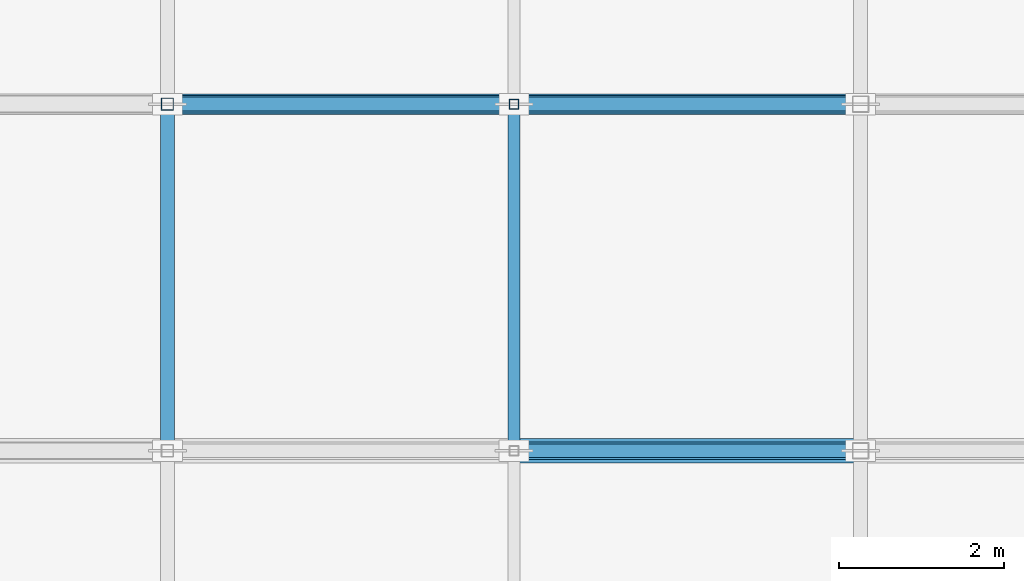
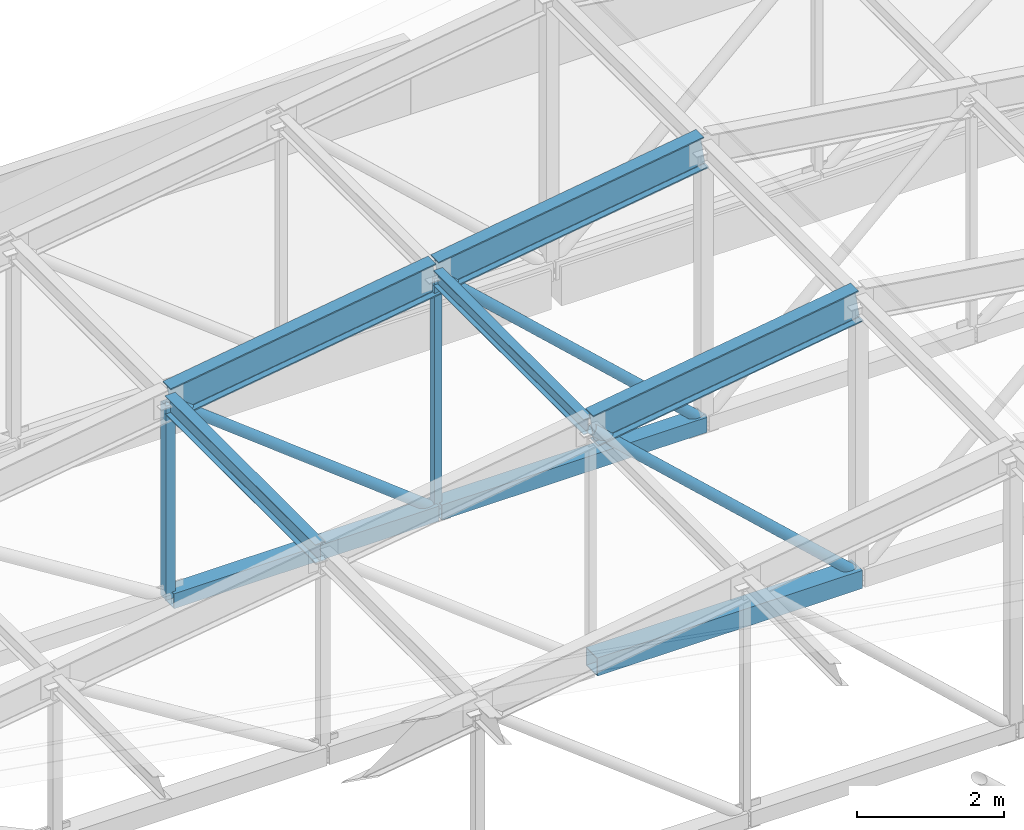
# One storey, part 36 of 122: 13 members.
"""IFC4 building model written with IfcOpenShell, lengths in metres."""

from ifc_helpers import new_model, si_unit, direction, frame, origin, origin_2d, place, context, subcontext, project, spatial, hollow_rectangle, hollow_circle, i_section, extrude, material, material_profile, profile_set, type_object, element, save


model = new_model("IFC4")

# Units and contexts
model_context = context("Model", 3, precision=1e-05, world=origin(), true_north=direction((0.0, 1.0)))
body_context = subcontext(model_context, "Body", "Model", "MODEL_VIEW")
ifc_project = project(units=[si_unit("LENGTHUNIT", "METRE"), si_unit("AREAUNIT", "SQUARE_METRE"), si_unit("VOLUMEUNIT", "CUBIC_METRE"), si_unit("PLANEANGLEUNIT", "RADIAN"), si_unit("MASSUNIT", "GRAM", prefix="KILO")], contexts=[model_context])

# Site, building, storey
site_placement = place(None, origin())
site = spatial("IfcSite", under=ifc_project, at=site_placement, CompositionType="ELEMENT")
building_placement = place(site_placement, origin())
building = spatial("IfcBuilding", under=site, at=building_placement, Name="Telukmera Botanical Conservatory", CompositionType="ELEMENT")
storey_placement = place(building_placement, frame((0.0, 0.0, 10.199951171875)))
storey = spatial("IfcBuildingStorey", under=building, at=storey_placement, Name="L02", CompositionType="ELEMENT", Elevation=10.199951171875)

# Members
ifc_material = material(Name="Steel S355", Category="steel")
ifc_material_profile_1 = material_profile(ifc_material, i_section(OverallWidth=0.210693359375, OverallDepth=0.53955078125, WebThickness=0.01171875, FlangeThickness=0.018798828125, FilletRadius=0.0126953125, at=origin_2d()), Name="UB 533x210x109")
ifc_profile_set_1 = profile_set([ifc_material_profile_1], Name="Steel S355")
member_type_1 = type_object("IfcMemberType", Name="Mem_TC1", PredefinedType="CHORD", material=ifc_profile_set_1)
for number, where, z_axis, x_axis, name in (
    (1, (21.019775390625, 108.39990234375, 3.80615234375), (0.989022603236, 0.0, 0.147764306545), (0.0, 1.0, 0.0), "Auditorium Pratt Truss Top Chord T7-4"),
    (2, (16.81982421875, 112.60009765625, 3.178466796875), (0.989022603236, 0.0, 0.147764306545), (0.0, 1.0, 0.0), "Auditorium Pratt Truss Top Chord T8-3"),
    (3, (21.019775390625, 112.60009765625, 3.80615234375), (0.989022603236, 0.0, 0.147764306545), (0.0, 1.0, 0.0), "Auditorium Pratt Truss Top Chord T8-4"),
):
    element("IfcMember", number, at=place(storey_placement, frame(where, z_axis=z_axis, x_axis=x_axis)), inside=storey, type_object=member_type_1, Name=name, PredefinedType="CHORD", context=body_context, shape_type="SweptSolid", body=[
        extrude(i_section(OverallWidth=0.210693359375, OverallDepth=0.53955078125, WebThickness=0.01171875, FlangeThickness=0.018798828125, FilletRadius=0.0126953125, at=origin_2d()), origin(), (0.0, 0.0, 1.0), 4.20654296875),
    ])
ifc_material_profile_2 = material_profile(ifc_material, hollow_rectangle(XDim=0.25, YDim=0.25, WallThickness=0.012451171875, at=origin_2d()), Name="SHS 250x250x12.5")
ifc_profile_set_2 = profile_set([ifc_material_profile_2], Name="Steel S355")
member_type_2 = type_object("IfcMemberType", Name="Mem_TC2", PredefinedType="CHORD", material=ifc_profile_set_2)
for number, where, z_axis, x_axis, name in (
    (4, (16.820068359375, 112.60009765625, -0.079833984375), (1.0, 0.0, 0.0), (0.0, 1.0, 0.0), "Auditorium Pratt Truss Bottom Chord T8-3"),
    (5, (21.02001953125, 112.60009765625, -0.079833984375), (1.0, 0.0, 0.0), (0.0, 1.0, 0.0), "Auditorium Pratt Truss Bottom Chord T8-4"),
):
    element("IfcMember", number, at=place(storey_placement, frame(where, z_axis=z_axis, x_axis=x_axis)), inside=storey, type_object=member_type_2, Name=name, PredefinedType="CHORD", context=body_context, shape_type="SweptSolid", body=[
        extrude(hollow_rectangle(XDim=0.25, YDim=0.25, WallThickness=0.012451171875, at=origin_2d()), origin(), (0.0, 0.0, 1.0), 4.159912109375),
    ])
ifc_material_profile_3 = material_profile(ifc_material, hollow_rectangle(XDim=0.300048828125, YDim=0.300048828125, WallThickness=0.012451171875, at=origin_2d()), Name="SHS 300x300x12.5")
ifc_profile_set_3 = profile_set([ifc_material_profile_3], Name="Steel S355")
member_type_3 = type_object("IfcMemberType", Name="Mem_TC3", PredefinedType="CHORD", material=ifc_profile_set_3)
member_1_placement = place(storey_placement, frame((21.02001953125, 108.39990234375, -0.079833984375), z_axis=(1.0, 0.0, 0.0), x_axis=(0.0, 1.0, 0.0)))
element("IfcMember", 6, at=member_1_placement, inside=storey, type_object=member_type_3, Name="Auditorium Pratt Truss Bottom Chord T7-4", PredefinedType="CHORD", context=body_context, shape_type="SweptSolid", body=[
    extrude(hollow_rectangle(XDim=0.300048828125, YDim=0.300048828125, WallThickness=0.012451171875, at=origin_2d()), origin(), (0.0, 0.0, 1.0), 4.159912109375),
])
ifc_material_profile_4 = material_profile(ifc_material, hollow_circle(Radius=0.084228515625, WallThickness=0.008056640625, at=origin_2d()), Name="CHS 168.3x8.0")
ifc_profile_set_4 = profile_set([ifc_material_profile_4], Name="Steel S355")
member_type_4 = type_object("IfcMemberType", Name="Mem_TD2", PredefinedType="BRACE", material=ifc_profile_set_4)
member_2_placement = place(storey_placement, frame((21.02197265625, 108.39990234375, 3.78271484375), z_axis=(0.734277342079, 0.0, -0.678849604044), x_axis=(0.0, 1.0, 0.0)))
element("IfcMember", 7, at=member_2_placement, inside=storey, type_object=member_type_4, Name="Auditorium Pratt Truss Web Diagonal T7-D4", PredefinedType="BRACE", context=body_context, shape_type="SweptSolid", body=[
    extrude(hollow_circle(Radius=0.084228515625, WallThickness=0.008056640625, at=origin_2d()), origin(), (0.0, 0.0, 1.0), 5.659912109375),
])
member_3_placement = place(storey_placement, frame((16.82373046875, 112.60009765625, 3.156982421875), z_axis=(0.790391989469, 0.0, -0.61260142261), x_axis=(0.0, 1.0, 0.0)))
element("IfcMember", 8, at=member_3_placement, inside=storey, type_object=member_type_4, Name="Auditorium Pratt Truss Web Diagonal T8-D3", PredefinedType="BRACE", context=body_context, shape_type="SweptSolid", body=[
    extrude(hollow_circle(Radius=0.084228515625, WallThickness=0.008056640625, at=origin_2d()), origin(), (0.0, 0.0, 1.0), 5.25390625),
])
member_4_placement = place(storey_placement, frame((21.02197265625, 112.60009765625, 3.78271484375), z_axis=(0.734277342079, 0.0, -0.678849604044), x_axis=(0.0, 1.0, 0.0)))
element("IfcMember", 9, at=member_4_placement, inside=storey, type_object=member_type_4, Name="Auditorium Pratt Truss Web Diagonal T8-D4", PredefinedType="BRACE", context=body_context, shape_type="SweptSolid", body=[
    extrude(hollow_circle(Radius=0.084228515625, WallThickness=0.008056640625, at=origin_2d()), origin(), (0.0, 0.0, 1.0), 5.659912109375),
])
ifc_material_profile_5 = material_profile(ifc_material, i_section(OverallWidth=0.165771484375, OverallDepth=0.306640625, WebThickness=0.006591796875, FlangeThickness=0.01171875, FilletRadius=0.0087890625, at=origin_2d()), Name="UB 305x165x46")
ifc_profile_set_5 = profile_set([ifc_material_profile_5], Name="Steel S355")
member_type_5 = type_object("IfcMemberType", Name="Mem_TPB1", PredefinedType="PURLIN", material=ifc_profile_set_5)
member_5_placement = place(storey_placement, frame((16.800048828125, 108.4599609375, 3.175537109375), z_axis=(0.0, 1.0, 0.0), x_axis=(-1.0, 0.0, 0.0)))
element("IfcMember", 10, at=member_5_placement, inside=storey, type_object=member_type_5, Name="Auditorium Roof Steel Purlin P7-2", PredefinedType="PURLIN", context=body_context, shape_type="SweptSolid", body=[
    extrude(i_section(OverallWidth=0.165771484375, OverallDepth=0.306640625, WebThickness=0.006591796875, FlangeThickness=0.01171875, FilletRadius=0.0087890625, at=origin_2d()), origin(), (0.0, 0.0, 1.0), 4.080078125),
])
ifc_material_profile_6 = material_profile(ifc_material, i_section(OverallWidth=0.146484375, OverallDepth=0.256103515625, WebThickness=0.00634765625, FlangeThickness=0.010986328125, FilletRadius=0.007568359375, at=origin_2d()), Name="UB 254x146x37")
ifc_profile_set_6 = profile_set([ifc_material_profile_6], Name="Steel S355")
member_type_6 = type_object("IfcMemberType", Name="Mem_TPB2", PredefinedType="PURLIN", material=ifc_profile_set_6)
member_6_placement = place(storey_placement, frame((21.0, 108.4599609375, 3.80322265625), z_axis=(0.0, 1.0, 0.0), x_axis=(-1.0, 0.0, 0.0)))
element("IfcMember", 11, at=member_6_placement, inside=storey, type_object=member_type_6, Name="Auditorium Roof Steel Purlin P7-3", PredefinedType="PURLIN", context=body_context, shape_type="SweptSolid", body=[
    extrude(i_section(OverallWidth=0.146484375, OverallDepth=0.256103515625, WebThickness=0.00634765625, FlangeThickness=0.010986328125, FilletRadius=0.007568359375, at=origin_2d()), origin(), (0.0, 0.0, 1.0), 4.080078125),
])
ifc_material_profile_7 = material_profile(ifc_material, hollow_rectangle(XDim=0.14990234375, YDim=0.14990234375, WallThickness=0.008056640625, at=origin_2d()), Name="SHS 150x150x8.0")
ifc_profile_set_7 = profile_set([ifc_material_profile_7], Name="Steel S355")
member_type_7 = type_object("IfcMemberType", Name="Mem_TV2", PredefinedType="POST", material=ifc_profile_set_7)
member_7_placement = place(storey_placement, frame((16.800048828125, 112.60009765625, -0.06005859375), z_axis=(0.0, 0.0, 1.0), x_axis=(1.0, 0.0, 0.0)))
element("IfcMember", 12, at=member_7_placement, inside=storey, type_object=member_type_7, Name="Auditorium Pratt Truss Vertical T8-V2", PredefinedType="POST", context=body_context, shape_type="SweptSolid", body=[
    extrude(hollow_rectangle(XDim=0.14990234375, YDim=0.14990234375, WallThickness=0.008056640625, at=origin_2d()), origin(), (0.0, 0.0, 1.0), 3.215576171875),
])
ifc_material_profile_8 = material_profile(ifc_material, hollow_rectangle(XDim=0.1201171875, YDim=0.1201171875, WallThickness=0.00634765625, at=origin_2d()), Name="SHS 120x120x6.3")
ifc_profile_set_8 = profile_set([ifc_material_profile_8], Name="Steel S355")
member_type_8 = type_object("IfcMemberType", Name="Mem_TV3", PredefinedType="POST", material=ifc_profile_set_8)
member_8_placement = place(storey_placement, frame((21.0, 112.60009765625, -0.06005859375), z_axis=(0.0, 0.0, 1.0), x_axis=(1.0, 0.0, 0.0)))
element("IfcMember", 13, at=member_8_placement, inside=storey, type_object=member_type_8, Name="Auditorium Pratt Truss Vertical T8-V3", PredefinedType="POST", context=body_context, shape_type="SweptSolid", body=[
    extrude(hollow_rectangle(XDim=0.1201171875, YDim=0.1201171875, WallThickness=0.00634765625, at=origin_2d()), origin(), (0.0, 0.0, 1.0), 3.84326171875),
])

save(model, "model.ifc")
